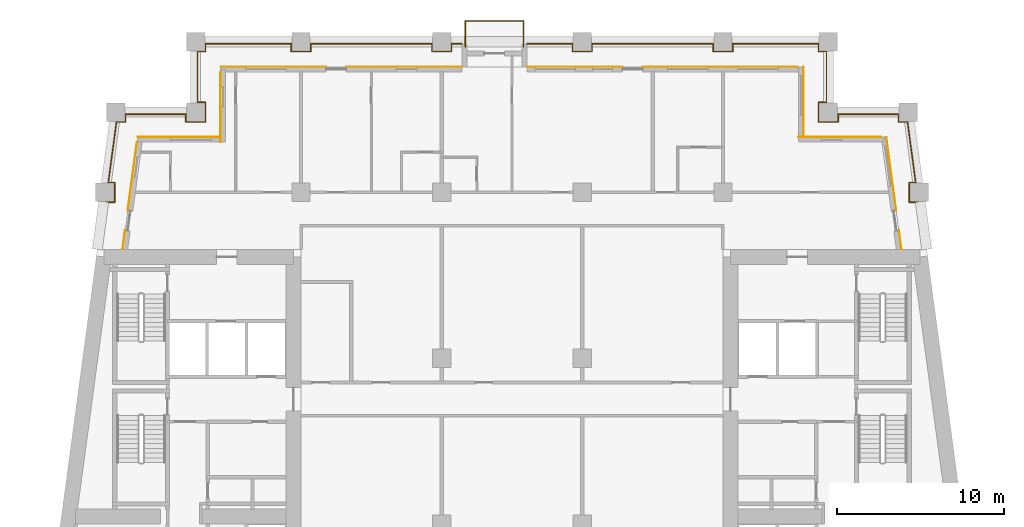
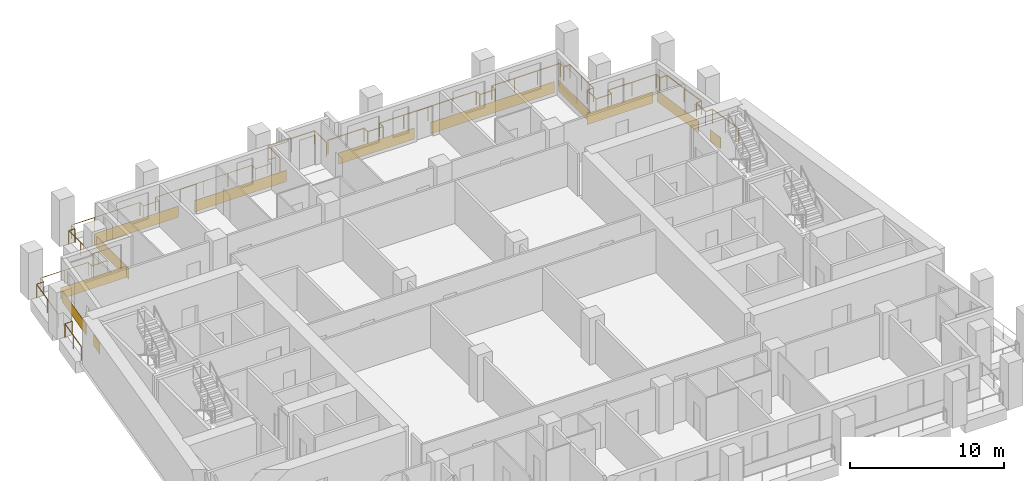
# One storey, part 12 of 13: 12 coverings, 3 railings.
"""IFC4 building model written with IfcOpenShell, lengths in metres."""

from ifc_helpers import new_model, si_unit, direction, frame, origin, origin_2d, place, context, subcontext, project, spatial, rectangle, circle, extrude, material, layer, layer_set, type_object, element, save


model = new_model("IFC4")

# Units and contexts
model_context = context("Model", 3, precision=1e-05, world=origin(), true_north=direction((0.0, 1.0)))
body_context = subcontext(model_context, "Body", "Model", "MODEL_VIEW")
ifc_project = project(units=[si_unit("LENGTHUNIT", "METRE"), si_unit("AREAUNIT", "SQUARE_METRE"), si_unit("VOLUMEUNIT", "CUBIC_METRE"), si_unit("PLANEANGLEUNIT", "RADIAN"), si_unit("MASSUNIT", "GRAM", prefix="KILO")], contexts=[model_context])

# Site, building, storey
site_placement = place(None, origin())
site = spatial("IfcSite", under=ifc_project, at=site_placement, CompositionType="ELEMENT")
building_placement = place(site_placement, origin())
building = spatial("IfcBuilding", under=site, at=building_placement, Name="Candeia Pilgrim Tower and Theatre", CompositionType="ELEMENT")
storey_placement = place(building_placement, frame((0.0, 0.0, 170.0)))
storey = spatial("IfcBuildingStorey", under=building, at=storey_placement, Name="L40", CompositionType="ELEMENT", Elevation=170.0)

# Railings
ifc_material_1 = material(Name="Stainless steel balustrade", Category="steel")
railing_type = type_object("IfcRailingType", Name="G1 loggia guard 1100", PredefinedType="GUARDRAIL", material=ifc_material_1)
railing_1_placement = place(storey_placement, frame((88.758544921875, 132.449951171875, 0.0)))
element("IfcRailing", 1, at=railing_1_placement, inside=storey, type_object=railing_type, Name="Guard L40.2", PredefinedType="GUARDRAIL", context=body_context, shape_type="SweptSolid", body=[
    extrude(circle(Radius=0.02392578125, at=origin_2d()), frame((0.0, 0.0, 1.076171875), z_axis=(0.133382313969, 0.991064659001, 0.0), x_axis=(-0.991064659001, 0.133382313969, 0.0)), (0.0, 0.0, 1.0), 2.794921875),
    extrude(circle(Radius=0.02392578125, at=origin_2d()), frame((0.372802734375, 2.77001953125, 1.076171875), z_axis=(1.0, 0.0, 0.0), x_axis=(0.0, 1.0, 0.0)), (0.0, 0.0, 1.0), 0.537109375),
    extrude(circle(Radius=0.02392578125, at=origin_2d()), frame((0.909912109375, 2.77001953125, 1.076171875), z_axis=(0.0, 1.0, 0.0), x_axis=(-1.0, 0.0, 0.0)), (0.0, 0.0, 1.0), 1.159912109375),
    extrude(circle(Radius=0.02392578125, at=origin_2d()), frame((0.909912109375, 3.929931640625, 1.076171875), z_axis=(-1.0, 0.0, 0.0), x_axis=(0.0, -1.0, 0.0)), (0.0, 0.0, 1.0), 0.380859375),
    extrude(circle(Radius=0.02392578125, at=origin_2d()), frame((0.529052734375, 3.929931640625, 1.076171875), z_axis=(0.133404479078, 0.99106167566, 0.0), x_axis=(-0.99106167566, 0.133404479078, 0.0)), (0.0, 0.0, 1.0), 3.6728515625),
    extrude(circle(Radius=0.02392578125, at=origin_2d()), frame((1.01904296875, 7.570068359375, 1.076171875), z_axis=(1.0, 0.0, 0.0), x_axis=(0.0, 1.0, 0.0)), (0.0, 0.0, 1.0), 0.537109375),
    extrude(circle(Radius=0.02392578125, at=origin_2d()), frame((1.55615234375, 7.570068359375, 1.076171875), z_axis=(0.0, 1.0, 0.0), x_axis=(-1.0, 0.0, 0.0)), (0.0, 0.0, 1.0), 0.4599609375),
    extrude(circle(Radius=0.02392578125, at=origin_2d()), frame((1.55615234375, 8.030029296875, 1.076171875), z_axis=(1.0, 0.0, 0.0), x_axis=(0.0, 1.0, 0.0)), (0.0, 0.0, 1.0), 3.605224609375),
    extrude(circle(Radius=0.02392578125, at=origin_2d()), frame((5.161376953125, 8.030029296875, 1.076171875), z_axis=(0.0, -1.0, 0.0), x_axis=(1.0, 0.0, 0.0)), (0.0, 0.0, 1.0), 0.4599609375),
    extrude(circle(Radius=0.02392578125, at=origin_2d()), frame((5.161376953125, 7.570068359375, 1.076171875), z_axis=(1.0, 0.0, 0.0), x_axis=(0.0, 1.0, 0.0)), (0.0, 0.0, 1.0), 1.16015625),
    extrude(circle(Radius=0.02392578125, at=origin_2d()), frame((6.321533203125, 7.570068359375, 1.076171875), z_axis=(0.0, 1.0, 0.0), x_axis=(-1.0, 0.0, 0.0)), (0.0, 0.0, 1.0), 1.159912109375),
    extrude(circle(Radius=0.02392578125, at=origin_2d()), frame((6.321533203125, 8.72998046875, 1.076171875), z_axis=(-1.0, 0.0, 0.0), x_axis=(0.0, -1.0, 0.0)), (0.0, 0.0, 1.0), 0.4599609375),
    extrude(circle(Radius=0.02392578125, at=origin_2d()), frame((5.861572265625, 8.72998046875, 1.076171875), z_axis=(0.0, 1.0, 0.0), x_axis=(-1.0, 0.0, 0.0)), (0.0, 0.0, 1.0), 3.0400390625),
    extrude(circle(Radius=0.02392578125, at=origin_2d()), frame((5.861572265625, 11.77001953125, 1.076171875), z_axis=(1.0, 0.0, 0.0), x_axis=(0.0, 1.0, 0.0)), (0.0, 0.0, 1.0), 0.4599609375),
    extrude(circle(Radius=0.02392578125, at=origin_2d()), frame((6.321533203125, 11.77001953125, 1.076171875), z_axis=(0.0, 1.0, 0.0), x_axis=(-1.0, 0.0, 0.0)), (0.0, 0.0, 1.0), 0.4599609375),
    extrude(circle(Radius=0.02392578125, at=origin_2d()), frame((6.321533203125, 12.22998046875, 1.076171875), z_axis=(1.0, 0.0, 0.0), x_axis=(0.0, 1.0, 0.0)), (0.0, 0.0, 1.0), 5.139892578125),
    extrude(circle(Radius=0.02392578125, at=origin_2d()), frame((11.46142578125, 12.22998046875, 1.076171875), z_axis=(0.0, -1.0, 0.0), x_axis=(1.0, 0.0, 0.0)), (0.0, 0.0, 1.0), 0.4599609375),
    extrude(circle(Radius=0.02392578125, at=origin_2d()), frame((11.46142578125, 11.77001953125, 1.076171875), z_axis=(1.0, 0.0, 0.0), x_axis=(0.0, 1.0, 0.0)), (0.0, 0.0, 1.0), 1.159912109375),
    extrude(circle(Radius=0.02392578125, at=origin_2d()), frame((12.621337890625, 11.77001953125, 1.076171875), z_axis=(0.0, 1.0, 0.0), x_axis=(-1.0, 0.0, 0.0)), (0.0, 0.0, 1.0), 0.4599609375),
    extrude(circle(Radius=0.02392578125, at=origin_2d()), frame((12.621337890625, 12.22998046875, 1.076171875), z_axis=(1.0, 0.0, 0.0), x_axis=(0.0, 1.0, 0.0)), (0.0, 0.0, 1.0), 7.240234375),
    extrude(circle(Radius=0.02392578125, at=origin_2d()), frame((19.861572265625, 12.22998046875, 1.076171875), z_axis=(0.0, -1.0, 0.0), x_axis=(1.0, 0.0, 0.0)), (0.0, 0.0, 1.0), 0.4599609375),
    extrude(circle(Radius=0.02392578125, at=origin_2d()), frame((19.861572265625, 11.77001953125, 1.076171875), z_axis=(1.0, 0.0, 0.0), x_axis=(0.0, 1.0, 0.0)), (0.0, 0.0, 1.0), 1.159912109375),
    extrude(circle(Radius=0.02392578125, at=origin_2d()), frame((21.021484375, 11.77001953125, 1.076171875), z_axis=(0.0, 1.0, 0.0), x_axis=(-1.0, 0.0, 0.0)), (0.0, 0.0, 1.0), 0.4599609375),
    extrude(circle(Radius=0.02392578125, at=origin_2d()), frame((21.021484375, 12.22998046875, 1.076171875), z_axis=(1.0, 0.0, 0.0), x_axis=(0.0, 1.0, 0.0)), (0.0, 0.0, 1.0), 0.619873046875),
    extrude(circle(Radius=0.02099609375, at=origin_2d()), origin(), (0.0, 0.0, 1.0), 1.052001953125),
    extrude(circle(Radius=0.02099609375, at=origin_2d()), frame((0.1865234375, 1.385009765625, 0.0)), (0.0, 0.0, 1.0), 1.052001953125),
    extrude(circle(Radius=0.02099609375, at=origin_2d()), frame((0.372802734375, 2.77001953125, 0.0)), (0.0, 0.0, 1.0), 1.052001953125),
    extrude(circle(Radius=0.02099609375, at=origin_2d()), frame((0.909912109375, 2.77001953125, 0.0)), (0.0, 0.0, 1.0), 1.052001953125),
    extrude(circle(Radius=0.02099609375, at=origin_2d()), frame((0.909912109375, 3.929931640625, 0.0)), (0.0, 0.0, 1.0), 1.052001953125),
    extrude(circle(Radius=0.02099609375, at=origin_2d()), frame((0.529052734375, 3.929931640625, 0.0)), (0.0, 0.0, 1.0), 1.052001953125),
    extrude(circle(Radius=0.02099609375, at=origin_2d()), frame((0.77392578125, 5.75, 0.0)), (0.0, 0.0, 1.0), 1.052001953125),
    extrude(circle(Radius=0.02099609375, at=origin_2d()), frame((1.01904296875, 7.570068359375, 0.0)), (0.0, 0.0, 1.0), 1.052001953125),
    extrude(circle(Radius=0.02099609375, at=origin_2d()), frame((1.55615234375, 7.570068359375, 0.0)), (0.0, 0.0, 1.0), 1.052001953125),
    extrude(circle(Radius=0.02099609375, at=origin_2d()), frame((1.55615234375, 8.030029296875, 0.0)), (0.0, 0.0, 1.0), 1.052001953125),
    extrude(circle(Radius=0.02099609375, at=origin_2d()), frame((3.35888671875, 8.030029296875, 0.0)), (0.0, 0.0, 1.0), 1.052001953125),
    extrude(circle(Radius=0.02099609375, at=origin_2d()), frame((5.161376953125, 8.030029296875, 0.0)), (0.0, 0.0, 1.0), 1.052001953125),
    extrude(circle(Radius=0.02099609375, at=origin_2d()), frame((5.161376953125, 7.570068359375, 0.0)), (0.0, 0.0, 1.0), 1.052001953125),
    extrude(circle(Radius=0.02099609375, at=origin_2d()), frame((6.321533203125, 7.570068359375, 0.0)), (0.0, 0.0, 1.0), 1.052001953125),
    extrude(circle(Radius=0.02099609375, at=origin_2d()), frame((6.321533203125, 8.72998046875, 0.0)), (0.0, 0.0, 1.0), 1.052001953125),
    extrude(circle(Radius=0.02099609375, at=origin_2d()), frame((5.861572265625, 8.72998046875, 0.0)), (0.0, 0.0, 1.0), 1.052001953125),
    extrude(circle(Radius=0.02099609375, at=origin_2d()), frame((5.861572265625, 10.25, 0.0)), (0.0, 0.0, 1.0), 1.052001953125),
    extrude(circle(Radius=0.02099609375, at=origin_2d()), frame((5.861572265625, 11.77001953125, 0.0)), (0.0, 0.0, 1.0), 1.052001953125),
    extrude(circle(Radius=0.02099609375, at=origin_2d()), frame((6.321533203125, 11.77001953125, 0.0)), (0.0, 0.0, 1.0), 1.052001953125),
    extrude(circle(Radius=0.02099609375, at=origin_2d()), frame((6.321533203125, 12.22998046875, 0.0)), (0.0, 0.0, 1.0), 1.052001953125),
    extrude(circle(Radius=0.02099609375, at=origin_2d()), frame((8.034912109375, 12.22998046875, 0.0)), (0.0, 0.0, 1.0), 1.052001953125),
    extrude(circle(Radius=0.02099609375, at=origin_2d()), frame((9.748046875, 12.22998046875, 0.0)), (0.0, 0.0, 1.0), 1.052001953125),
    extrude(circle(Radius=0.02099609375, at=origin_2d()), frame((11.46142578125, 12.22998046875, 0.0)), (0.0, 0.0, 1.0), 1.052001953125),
    extrude(circle(Radius=0.02099609375, at=origin_2d()), frame((11.46142578125, 11.77001953125, 0.0)), (0.0, 0.0, 1.0), 1.052001953125),
    extrude(circle(Radius=0.02099609375, at=origin_2d()), frame((12.621337890625, 11.77001953125, 0.0)), (0.0, 0.0, 1.0), 1.052001953125),
    extrude(circle(Radius=0.02099609375, at=origin_2d()), frame((12.621337890625, 12.22998046875, 0.0)), (0.0, 0.0, 1.0), 1.052001953125),
    extrude(circle(Radius=0.02099609375, at=origin_2d()), frame((14.431396484375, 12.22998046875, 0.0)), (0.0, 0.0, 1.0), 1.052001953125),
    extrude(circle(Radius=0.02099609375, at=origin_2d()), frame((16.241455078125, 12.22998046875, 0.0)), (0.0, 0.0, 1.0), 1.052001953125),
    extrude(circle(Radius=0.02099609375, at=origin_2d()), frame((18.051513671875, 12.22998046875, 0.0)), (0.0, 0.0, 1.0), 1.052001953125),
    extrude(circle(Radius=0.02099609375, at=origin_2d()), frame((19.861572265625, 12.22998046875, 0.0)), (0.0, 0.0, 1.0), 1.052001953125),
    extrude(circle(Radius=0.02099609375, at=origin_2d()), frame((19.861572265625, 11.77001953125, 0.0)), (0.0, 0.0, 1.0), 1.052001953125),
    extrude(circle(Radius=0.02099609375, at=origin_2d()), frame((21.021484375, 11.77001953125, 0.0)), (0.0, 0.0, 1.0), 1.052001953125),
    extrude(circle(Radius=0.02099609375, at=origin_2d()), frame((21.021484375, 12.22998046875, 0.0)), (0.0, 0.0, 1.0), 1.052001953125),
    extrude(circle(Radius=0.02099609375, at=origin_2d()), frame((21.641357421875, 12.22998046875, 0.0)), (0.0, 0.0, 1.0), 1.052001953125),
])
railing_2_placement = place(storey_placement, frame((114.300048828125, 144.679931640625, 0.0)))
element("IfcRailing", 2, at=railing_2_placement, inside=storey, type_object=railing_type, Name="Guard L40.3", PredefinedType="GUARDRAIL", context=body_context, shape_type="SweptSolid", body=[
    extrude(circle(Radius=0.02392578125, at=origin_2d()), frame((0.0, 0.0, 1.076171875), z_axis=(1.0, 0.0, 0.0), x_axis=(0.0, 1.0, 0.0)), (0.0, 0.0, 1.0), 2.719970703125),
    extrude(circle(Radius=0.02392578125, at=origin_2d()), frame((2.719970703125, 0.0, 1.076171875), z_axis=(0.0, -1.0, 0.0), x_axis=(1.0, 0.0, 0.0)), (0.0, 0.0, 1.0), 0.4599609375),
    extrude(circle(Radius=0.02392578125, at=origin_2d()), frame((2.719970703125, -0.4599609375, 1.076171875), z_axis=(1.0, 0.0, 0.0), x_axis=(0.0, 1.0, 0.0)), (0.0, 0.0, 1.0), 1.159912109375),
    extrude(circle(Radius=0.02392578125, at=origin_2d()), frame((3.8798828125, -0.4599609375, 1.076171875), z_axis=(0.0, 1.0, 0.0), x_axis=(-1.0, 0.0, 0.0)), (0.0, 0.0, 1.0), 0.4599609375),
    extrude(circle(Radius=0.02392578125, at=origin_2d()), frame((3.8798828125, 0.0, 1.076171875), z_axis=(1.0, 0.0, 0.0), x_axis=(0.0, 1.0, 0.0)), (0.0, 0.0, 1.0), 7.239990234375),
    extrude(circle(Radius=0.02392578125, at=origin_2d()), frame((11.119873046875, 0.0, 1.076171875), z_axis=(0.0, -1.0, 0.0), x_axis=(1.0, 0.0, 0.0)), (0.0, 0.0, 1.0), 0.4599609375),
    extrude(circle(Radius=0.02392578125, at=origin_2d()), frame((11.119873046875, -0.4599609375, 1.076171875), z_axis=(1.0, 0.0, 0.0), x_axis=(0.0, 1.0, 0.0)), (0.0, 0.0, 1.0), 1.16015625),
    extrude(circle(Radius=0.02392578125, at=origin_2d()), frame((12.280029296875, -0.4599609375, 1.076171875), z_axis=(0.0, 1.0, 0.0), x_axis=(-1.0, 0.0, 0.0)), (0.0, 0.0, 1.0), 0.4599609375),
    extrude(circle(Radius=0.02392578125, at=origin_2d()), frame((12.280029296875, 0.0, 1.076171875), z_axis=(1.0, 0.0, 0.0), x_axis=(0.0, 1.0, 0.0)), (0.0, 0.0, 1.0), 5.139892578125),
    extrude(circle(Radius=0.02392578125, at=origin_2d()), frame((17.419921875, 0.0, 1.076171875), z_axis=(0.0, -1.0, 0.0), x_axis=(1.0, 0.0, 0.0)), (0.0, 0.0, 1.0), 0.4599609375),
    extrude(circle(Radius=0.02392578125, at=origin_2d()), frame((17.419921875, -0.4599609375, 1.076171875), z_axis=(1.0, 0.0, 0.0), x_axis=(0.0, 1.0, 0.0)), (0.0, 0.0, 1.0), 0.4599609375),
    extrude(circle(Radius=0.02392578125, at=origin_2d()), frame((17.8798828125, -0.4599609375, 1.076171875), z_axis=(0.0, -1.0, 0.0), x_axis=(1.0, 0.0, 0.0)), (0.0, 0.0, 1.0), 3.0400390625),
    extrude(circle(Radius=0.02392578125, at=origin_2d()), frame((17.8798828125, -3.5, 1.076171875), z_axis=(-1.0, 0.0, 0.0), x_axis=(0.0, -1.0, 0.0)), (0.0, 0.0, 1.0), 0.4599609375),
    extrude(circle(Radius=0.02392578125, at=origin_2d()), frame((17.419921875, -3.5, 1.076171875), z_axis=(0.0, -1.0, 0.0), x_axis=(1.0, 0.0, 0.0)), (0.0, 0.0, 1.0), 1.159912109375),
    extrude(circle(Radius=0.02392578125, at=origin_2d()), frame((17.419921875, -4.659912109375, 1.076171875), z_axis=(1.0, 0.0, 0.0), x_axis=(0.0, 1.0, 0.0)), (0.0, 0.0, 1.0), 1.159912109375),
    extrude(circle(Radius=0.02392578125, at=origin_2d()), frame((18.579833984375, -4.659912109375, 1.076171875), z_axis=(0.0, 1.0, 0.0), x_axis=(-1.0, 0.0, 0.0)), (0.0, 0.0, 1.0), 0.4599609375),
    extrude(circle(Radius=0.02392578125, at=origin_2d()), frame((18.579833984375, -4.199951171875, 1.076171875), z_axis=(1.0, 0.0, 0.0), x_axis=(0.0, 1.0, 0.0)), (0.0, 0.0, 1.0), 3.60546875),
    extrude(circle(Radius=0.02392578125, at=origin_2d()), frame((22.185302734375, -4.199951171875, 1.076171875), z_axis=(0.0, -1.0, 0.0), x_axis=(1.0, 0.0, 0.0)), (0.0, 0.0, 1.0), 0.4599609375),
    extrude(circle(Radius=0.02392578125, at=origin_2d()), frame((22.185302734375, -4.659912109375, 1.076171875), z_axis=(1.0, 0.0, 0.0), x_axis=(0.0, 1.0, 0.0)), (0.0, 0.0, 1.0), 0.537109375),
    extrude(circle(Radius=0.02392578125, at=origin_2d()), frame((22.722412109375, -4.659912109375, 1.076171875), z_axis=(0.133404479078, -0.99106167566, 0.0), x_axis=(0.99106167566, 0.133404479078, 0.0)), (0.0, 0.0, 1.0), 3.6728515625),
    extrude(circle(Radius=0.02392578125, at=origin_2d()), frame((23.21240234375, -8.300048828125, 1.076171875), z_axis=(-1.0, 0.0, 0.0), x_axis=(0.0, -1.0, 0.0)), (0.0, 0.0, 1.0), 0.380859375),
    extrude(circle(Radius=0.02392578125, at=origin_2d()), frame((22.83154296875, -8.300048828125, 1.076171875), z_axis=(0.0, -1.0, 0.0), x_axis=(1.0, 0.0, 0.0)), (0.0, 0.0, 1.0), 1.159912109375),
    extrude(circle(Radius=0.02392578125, at=origin_2d()), frame((22.83154296875, -9.4599609375, 1.076171875), z_axis=(1.0, 0.0, 0.0), x_axis=(0.0, 1.0, 0.0)), (0.0, 0.0, 1.0), 0.536865234375),
    extrude(circle(Radius=0.02392578125, at=origin_2d()), frame((23.368408203125, -9.4599609375, 1.076171875), z_axis=(0.133468107709, -0.99105310868, 0.0), x_axis=(0.99105310868, 0.133468107709, 0.0)), (0.0, 0.0, 1.0), 2.794921875),
    extrude(circle(Radius=0.02099609375, at=origin_2d()), origin(), (0.0, 0.0, 1.0), 1.052001953125),
    extrude(circle(Radius=0.02099609375, at=origin_2d()), frame((1.35986328125, 0.0, 0.0)), (0.0, 0.0, 1.0), 1.052001953125),
    extrude(circle(Radius=0.02099609375, at=origin_2d()), frame((2.719970703125, 0.0, 0.0)), (0.0, 0.0, 1.0), 1.052001953125),
    extrude(circle(Radius=0.02099609375, at=origin_2d()), frame((2.719970703125, -0.4599609375, 0.0)), (0.0, 0.0, 1.0), 1.052001953125),
    extrude(circle(Radius=0.02099609375, at=origin_2d()), frame((3.8798828125, -0.4599609375, 0.0)), (0.0, 0.0, 1.0), 1.052001953125),
    extrude(circle(Radius=0.02099609375, at=origin_2d()), frame((3.8798828125, 0.0, 0.0)), (0.0, 0.0, 1.0), 1.052001953125),
    extrude(circle(Radius=0.02099609375, at=origin_2d()), frame((5.68994140625, 0.0, 0.0)), (0.0, 0.0, 1.0), 1.052001953125),
    extrude(circle(Radius=0.02099609375, at=origin_2d()), frame((7.5, 0.0, 0.0)), (0.0, 0.0, 1.0), 1.052001953125),
    extrude(circle(Radius=0.02099609375, at=origin_2d()), frame((9.309814453125, 0.0, 0.0)), (0.0, 0.0, 1.0), 1.052001953125),
    extrude(circle(Radius=0.02099609375, at=origin_2d()), frame((11.119873046875, 0.0, 0.0)), (0.0, 0.0, 1.0), 1.052001953125),
    extrude(circle(Radius=0.02099609375, at=origin_2d()), frame((11.119873046875, -0.4599609375, 0.0)), (0.0, 0.0, 1.0), 1.052001953125),
    extrude(circle(Radius=0.02099609375, at=origin_2d()), frame((12.280029296875, -0.4599609375, 0.0)), (0.0, 0.0, 1.0), 1.052001953125),
    extrude(circle(Radius=0.02099609375, at=origin_2d()), frame((12.280029296875, 0.0, 0.0)), (0.0, 0.0, 1.0), 1.052001953125),
    extrude(circle(Radius=0.02099609375, at=origin_2d()), frame((13.993408203125, 0.0, 0.0)), (0.0, 0.0, 1.0), 1.052001953125),
    extrude(circle(Radius=0.02099609375, at=origin_2d()), frame((15.70654296875, 0.0, 0.0)), (0.0, 0.0, 1.0), 1.052001953125),
    extrude(circle(Radius=0.02099609375, at=origin_2d()), frame((17.419921875, 0.0, 0.0)), (0.0, 0.0, 1.0), 1.052001953125),
    extrude(circle(Radius=0.02099609375, at=origin_2d()), frame((17.419921875, -0.4599609375, 0.0)), (0.0, 0.0, 1.0), 1.052001953125),
    extrude(circle(Radius=0.02099609375, at=origin_2d()), frame((17.8798828125, -0.4599609375, 0.0)), (0.0, 0.0, 1.0), 1.052001953125),
    extrude(circle(Radius=0.02099609375, at=origin_2d()), frame((17.8798828125, -1.97998046875, 0.0)), (0.0, 0.0, 1.0), 1.052001953125),
    extrude(circle(Radius=0.02099609375, at=origin_2d()), frame((17.8798828125, -3.5, 0.0)), (0.0, 0.0, 1.0), 1.052001953125),
    extrude(circle(Radius=0.02099609375, at=origin_2d()), frame((17.419921875, -3.5, 0.0)), (0.0, 0.0, 1.0), 1.052001953125),
    extrude(circle(Radius=0.02099609375, at=origin_2d()), frame((17.419921875, -4.659912109375, 0.0)), (0.0, 0.0, 1.0), 1.052001953125),
    extrude(circle(Radius=0.02099609375, at=origin_2d()), frame((18.579833984375, -4.659912109375, 0.0)), (0.0, 0.0, 1.0), 1.052001953125),
    extrude(circle(Radius=0.02099609375, at=origin_2d()), frame((18.579833984375, -4.199951171875, 0.0)), (0.0, 0.0, 1.0), 1.052001953125),
    extrude(circle(Radius=0.02099609375, at=origin_2d()), frame((20.382568359375, -4.199951171875, 0.0)), (0.0, 0.0, 1.0), 1.052001953125),
    extrude(circle(Radius=0.02099609375, at=origin_2d()), frame((22.185302734375, -4.199951171875, 0.0)), (0.0, 0.0, 1.0), 1.052001953125),
    extrude(circle(Radius=0.02099609375, at=origin_2d()), frame((22.185302734375, -4.659912109375, 0.0)), (0.0, 0.0, 1.0), 1.052001953125),
    extrude(circle(Radius=0.02099609375, at=origin_2d()), frame((22.722412109375, -4.659912109375, 0.0)), (0.0, 0.0, 1.0), 1.052001953125),
    extrude(circle(Radius=0.02099609375, at=origin_2d()), frame((22.96728515625, -6.47998046875, 0.0)), (0.0, 0.0, 1.0), 1.052001953125),
    extrude(circle(Radius=0.02099609375, at=origin_2d()), frame((23.21240234375, -8.300048828125, 0.0)), (0.0, 0.0, 1.0), 1.052001953125),
    extrude(circle(Radius=0.02099609375, at=origin_2d()), frame((22.83154296875, -8.300048828125, 0.0)), (0.0, 0.0, 1.0), 1.052001953125),
    extrude(circle(Radius=0.02099609375, at=origin_2d()), frame((22.83154296875, -9.4599609375, 0.0)), (0.0, 0.0, 1.0), 1.052001953125),
    extrude(circle(Radius=0.02099609375, at=origin_2d()), frame((23.368408203125, -9.4599609375, 0.0)), (0.0, 0.0, 1.0), 1.052001953125),
    extrude(circle(Radius=0.02099609375, at=origin_2d()), frame((23.554931640625, -10.844970703125, 0.0)), (0.0, 0.0, 1.0), 1.052001953125),
    extrude(circle(Radius=0.02099609375, at=origin_2d()), frame((23.741455078125, -12.22998046875, 0.0)), (0.0, 0.0, 1.0), 1.052001953125),
])
railing_3_placement = place(storey_placement, frame((110.610107421875, 144.5, 0.0)))
element("IfcRailing", 3, at=railing_3_placement, inside=storey, type_object=railing_type, Name="Balcony guard L40", PredefinedType="GUARDRAIL", context=body_context, shape_type="SweptSolid", body=[
    extrude(circle(Radius=0.02392578125, at=origin_2d()), frame((0.0, 0.0, 1.076171875), z_axis=(0.0, 1.0, 0.0), x_axis=(-1.0, 0.0, 0.0)), (0.0, 0.0, 1.0), 1.5400390625),
    extrude(circle(Radius=0.02392578125, at=origin_2d()), frame((0.0, 1.5400390625, 1.076171875), z_axis=(1.0, 0.0, 0.0), x_axis=(0.0, 1.0, 0.0)), (0.0, 0.0, 1.0), 3.47998046875),
    extrude(circle(Radius=0.02392578125, at=origin_2d()), frame((3.47998046875, 1.5400390625, 1.076171875), z_axis=(0.0, -1.0, 0.0), x_axis=(1.0, 0.0, 0.0)), (0.0, 0.0, 1.0), 1.5400390625),
    extrude(circle(Radius=0.02099609375, at=origin_2d()), origin(), (0.0, 0.0, 1.0), 1.052001953125),
    extrude(circle(Radius=0.02099609375, at=origin_2d()), frame((0.0, 1.5400390625, 0.0)), (0.0, 0.0, 1.0), 1.052001953125),
    extrude(circle(Radius=0.02099609375, at=origin_2d()), frame((1.739990234375, 1.5400390625, 0.0)), (0.0, 0.0, 1.0), 1.052001953125),
    extrude(circle(Radius=0.02099609375, at=origin_2d()), frame((3.47998046875, 1.5400390625, 0.0)), (0.0, 0.0, 1.0), 1.052001953125),
    extrude(circle(Radius=0.02099609375, at=origin_2d()), frame((3.47998046875, 0.0, 0.0)), (0.0, 0.0, 1.0), 1.052001953125),
])

# Coverings
ifc_material_2 = material(Name="Glazed ceramic tile rust")
ifc_layer = layer(ifc_material_2, 0.02001953125)
ifc_layer_set = layer_set([ifc_layer], Name="Glazed ceramic tile rust")
covering_type = type_object("IfcCoveringType", Name="Glazed ceramic tile rust", PredefinedType="CLADDING", material=ifc_layer_set)
covering_1_placement = place(storey_placement, frame((136.588623046875, 132.97412109375, 0.0), z_axis=(0.0, 0.0, 1.0), x_axis=(-0.133412012145, 0.991060661622, 0.0)))
element("IfcCovering", 4, at=covering_1_placement, inside=storey, type_object=covering_type, Name="Tile cladding rust L40", PredefinedType="CLADDING", context=body_context, shape_type="SweptSolid", body=[
    extrude(rectangle(XDim=1.115234375, YDim=0.02001953125, at=origin_2d()), origin(), (0.0, 0.0, 1.0), 0.89990234375),
])
covering_2_placement = place(storey_placement, frame((136.058837890625, 136.90869140625, 0.0), z_axis=(0.0, 0.0, 1.0), x_axis=(-0.133412012145, 0.991060661622, 0.0)))
element("IfcCovering", 5, at=covering_2_placement, inside=storey, type_object=covering_type, Name="Tile cladding rust L40", PredefinedType="CLADDING", context=body_context, shape_type="SweptSolid", body=[
    extrude(rectangle(XDim=4.4248046875, YDim=0.02001953125, at=origin_2d()), origin(), (0.0, 0.0, 1.0), 0.89990234375),
])
covering_3_placement = place(storey_placement, frame((132.976318359375, 139.110107421875, 0.0), z_axis=(0.0, 0.0, 1.0), x_axis=(-1.0, 0.0, 0.0)))
element("IfcCovering", 6, at=covering_3_placement, inside=storey, type_object=covering_type, Name="Tile cladding rust L40", PredefinedType="CLADDING", context=body_context, shape_type="SweptSolid", body=[
    extrude(rectangle(XDim=4.95263671875, YDim=0.02001953125, at=origin_2d()), origin(), (0.0, 0.0, 1.0), 0.89990234375),
])
covering_4_placement = place(storey_placement, frame((130.81005859375, 141.2099609375, 0.0), z_axis=(0.0, 0.0, 1.0), x_axis=(0.0, 1.0, 0.0)))
element("IfcCovering", 7, at=covering_4_placement, inside=storey, type_object=covering_type, Name="Tile cladding rust L40", PredefinedType="CLADDING", context=body_context, shape_type="SweptSolid", body=[
    extrude(rectangle(XDim=4.179931640625, YDim=0.02001953125, at=origin_2d()), origin(), (0.0, 0.0, 1.0), 0.89990234375),
])
covering_5_placement = place(storey_placement, frame((125.840087890625, 143.31005859375, 0.0), z_axis=(0.0, 0.0, 1.0), x_axis=(-1.0, 0.0, 0.0)))
element("IfcCovering", 8, at=covering_5_placement, inside=storey, type_object=covering_type, Name="Tile cladding rust L40", PredefinedType="CLADDING", context=body_context, shape_type="SweptSolid", body=[
    extrude(rectangle(XDim=9.280029296875, YDim=0.02001953125, at=origin_2d()), origin(), (0.0, 0.0, 1.0), 0.89990234375),
])
covering_6_placement = place(storey_placement, frame((117.14990234375, 143.31005859375, 0.0), z_axis=(0.0, 0.0, 1.0), x_axis=(-1.0, 0.0, 0.0)))
element("IfcCovering", 9, at=covering_6_placement, inside=storey, type_object=covering_type, Name="Tile cladding rust L40", PredefinedType="CLADDING", context=body_context, shape_type="SweptSolid", body=[
    extrude(rectangle(XDim=5.699951171875, YDim=0.02001953125, at=origin_2d()), origin(), (0.0, 0.0, 1.0), 0.89990234375),
])
covering_7_placement = place(storey_placement, frame((106.949951171875, 143.31005859375, 0.0), z_axis=(0.0, 0.0, 1.0), x_axis=(-1.0, 0.0, 0.0)))
element("IfcCovering", 10, at=covering_7_placement, inside=storey, type_object=covering_type, Name="Tile cladding rust L40", PredefinedType="CLADDING", context=body_context, shape_type="SweptSolid", body=[
    extrude(rectangle(XDim=6.89990234375, YDim=0.02001953125, at=origin_2d()), origin(), (0.0, 0.0, 1.0), 0.89990234375),
])
covering_8_placement = place(storey_placement, frame((99.14990234375, 143.31005859375, 0.0), z_axis=(0.0, 0.0, 1.0), x_axis=(-1.0, 0.0, 0.0)))
element("IfcCovering", 11, at=covering_8_placement, inside=storey, type_object=covering_type, Name="Tile cladding rust L40", PredefinedType="CLADDING", context=body_context, shape_type="SweptSolid", body=[
    extrude(rectangle(XDim=6.300048828125, YDim=0.02001953125, at=origin_2d()), origin(), (0.0, 0.0, 1.0), 0.89990234375),
])
covering_9_placement = place(storey_placement, frame((95.989990234375, 140.889892578125, 0.0), z_axis=(0.0, 0.0, 1.0), x_axis=(0.0, -1.0, 0.0)))
element("IfcCovering", 12, at=covering_9_placement, inside=storey, type_object=covering_type, Name="Tile cladding rust L40", PredefinedType="CLADDING", context=body_context, shape_type="SweptSolid", body=[
    extrude(rectangle(XDim=4.179931640625, YDim=0.02001953125, at=origin_2d()), origin(), (0.0, 0.0, 1.0), 0.89990234375),
])
covering_10_placement = place(storey_placement, frame((93.51318359375, 139.110107421875, 0.0), z_axis=(0.0, 0.0, 1.0), x_axis=(-1.0, 0.0, 0.0)))
element("IfcCovering", 13, at=covering_10_placement, inside=storey, type_object=covering_type, Name="Tile cladding rust L40", PredefinedType="CLADDING", context=body_context, shape_type="SweptSolid", body=[
    extrude(rectangle(XDim=4.933837890625, YDim=0.02001953125, at=origin_2d()), origin(), (0.0, 0.0, 1.0), 0.89990234375),
])
covering_11_placement = place(storey_placement, frame((90.720947265625, 136.759521484375, 0.0), z_axis=(0.0, 0.0, 1.0), x_axis=(-0.133412012145, -0.991060661622, 0.0)))
element("IfcCovering", 14, at=covering_11_placement, inside=storey, type_object=covering_type, Name="Tile cladding rust L40", PredefinedType="CLADDING", context=body_context, shape_type="SweptSolid", body=[
    extrude(rectangle(XDim=4.123779296875, YDim=0.02001953125, at=origin_2d()), origin(), (0.0, 0.0, 1.0), 0.89990234375),
])
covering_12_placement = place(storey_placement, frame((90.21142578125, 132.97412109375, 0.0), z_axis=(0.0, 0.0, 1.0), x_axis=(-0.133412012145, -0.991060661622, 0.0)))
element("IfcCovering", 15, at=covering_12_placement, inside=storey, type_object=covering_type, Name="Tile cladding rust L40", PredefinedType="CLADDING", context=body_context, shape_type="SweptSolid", body=[
    extrude(rectangle(XDim=1.115234375, YDim=0.02001953125, at=origin_2d()), origin(), (0.0, 0.0, 1.0), 0.89990234375),
])

save(model, "model.ifc")
